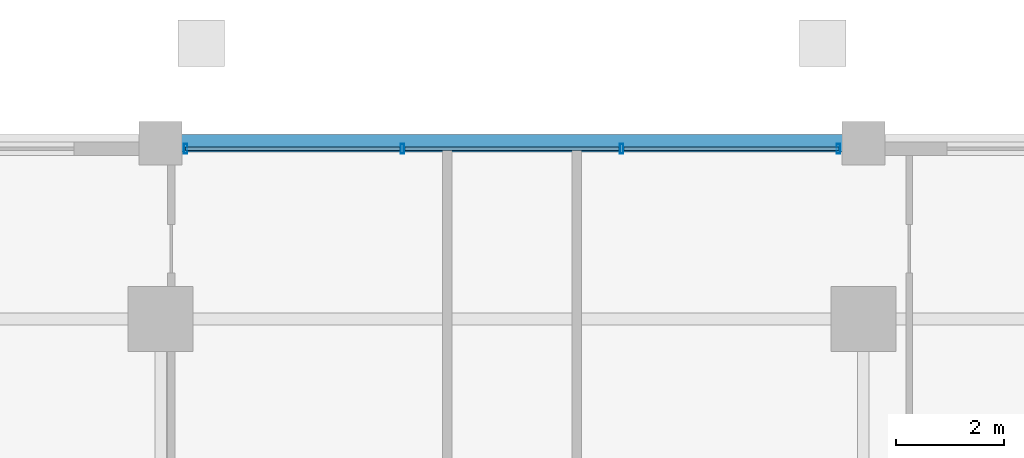
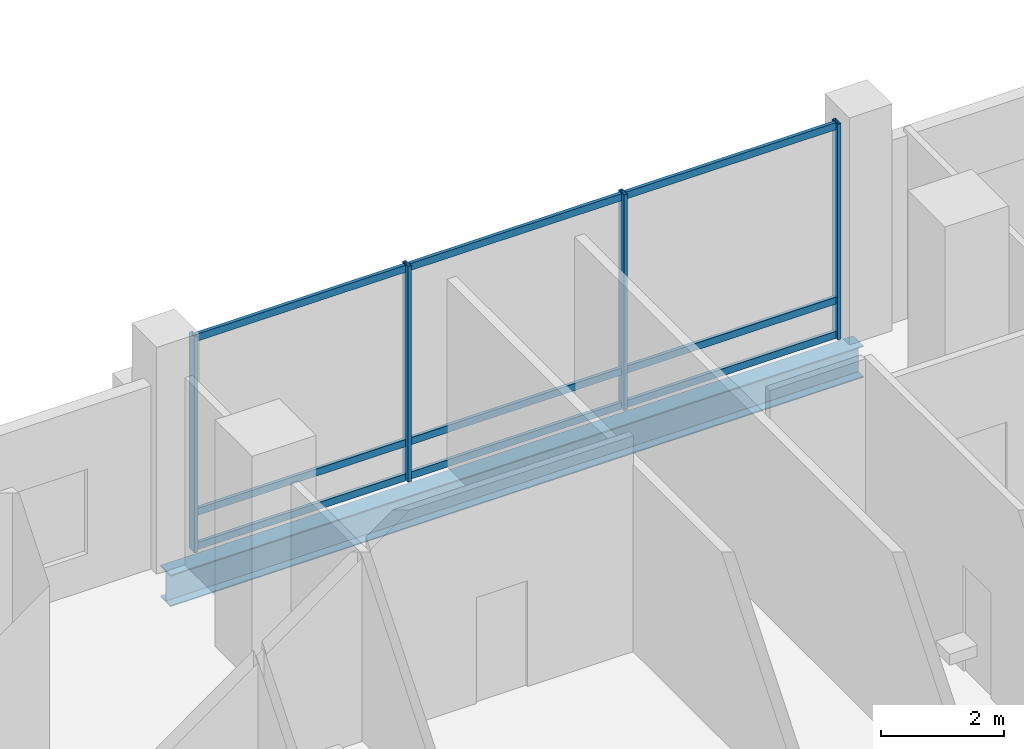
# One storey, part 10 of 19: 13 members, 1 beam, 1 element without a shape of its own.
"""IFC4 building model written with IfcOpenShell, lengths in metres."""

from ifc_helpers import new_model, si_unit, direction, frame, origin, origin_2d, place, context, subcontext, project, spatial, hollow_rectangle, i_section, extrude, material, layer, layer_set, material_profile, profile_set, type_object, element, aggregate, save


model = new_model("IFC4")

# Units and contexts
model_context = context("Model", 3, precision=1e-05, world=origin(), true_north=direction((0.0, 1.0)))
body_context = subcontext(model_context, "Body", "Model", "MODEL_VIEW")
ifc_project = project(units=[si_unit("LENGTHUNIT", "METRE"), si_unit("AREAUNIT", "SQUARE_METRE"), si_unit("VOLUMEUNIT", "CUBIC_METRE"), si_unit("PLANEANGLEUNIT", "RADIAN"), si_unit("MASSUNIT", "GRAM", prefix="KILO")], contexts=[model_context])

# Site, building, storey
site_placement = place(None, origin())
site = spatial("IfcSite", under=ifc_project, at=site_placement, CompositionType="ELEMENT")
building_placement = place(site_placement, origin())
building = spatial("IfcBuilding", under=site, at=building_placement, Name="Barlavira Tower and Art Museum", CompositionType="ELEMENT")
storey_placement = place(building_placement, frame((0.0, 0.0, 125.10009765625)))
storey = spatial("IfcBuildingStorey", under=building, at=storey_placement, Name="L31", CompositionType="ELEMENT", Elevation=125.10009765625)

# Curtain wall, members
ifc_material_1 = material(Name="Low-iron coastal laminated glass", Category="glass")
ifc_layer = layer(ifc_material_1, 0.18994140625, Name="Low-iron coastal laminated glass")
ifc_layer_set = layer_set([ifc_layer], Name="Low-iron coastal laminated glass")
curtain_wall_type = type_object("IfcCurtainWallType", Name="Pale-Metal Unitised Curtain Wall Zone 2", PredefinedType="NOTDEFINED", material=ifc_layer_set)
curtain_wall_placement = place(storey_placement, origin())
curtain_wall = element("IfcCurtainWall", 1, at=curtain_wall_placement, inside=storey, type_object=curtain_wall_type, Name="L31 Curtain Wall CW2-L31-N-B3", PredefinedType="NOTDEFINED")
ifc_material_2 = material(Name="Pale anodised aluminium", Category="aluminium")
ifc_material_profile_1 = material_profile(ifc_material_2, hollow_rectangle(XDim=0.06494140625, YDim=0.179931640625, WallThickness=0.00390625, at=origin_2d()), Name="ALU-MULL 65x180x4")
ifc_profile_set_1 = profile_set([ifc_material_profile_1], Name="Pale anodised aluminium")
member_type_1 = type_object("IfcMemberType", Name="Curtain Wall Pale-Metal Mullion 65x180", PredefinedType="MULLION", material=ifc_profile_set_1)
member_1_placement = place(storey_placement, frame((6.034912109375, 23.14990234375, 0.0), z_axis=(0.0, 0.0, 1.0), x_axis=(-1.0, 0.0, 0.0)))
member_1 = element("IfcMember", 2, at=member_1_placement, type_object=member_type_1, Name="CW2-L31-N-B3 Mullion 0", PredefinedType="MULLION", context=body_context, shape_type="SweptSolid", body=[
    extrude(hollow_rectangle(XDim=0.06494140625, YDim=0.179931640625, WallThickness=0.00390625, at=origin_2d()), origin(), (0.0, 0.0, 1.0), 4.27978515625),
])
member_2_placement = place(storey_placement, frame((2.026611328125, 23.14990234375, 0.0), z_axis=(0.0, 0.0, 1.0), x_axis=(-1.0, 0.0, 0.0)))
member_2 = element("IfcMember", 3, at=member_2_placement, type_object=member_type_1, Name="CW2-L31-N-B3 Mullion 1", PredefinedType="MULLION", context=body_context, shape_type="SweptSolid", body=[
    extrude(hollow_rectangle(XDim=0.06494140625, YDim=0.179931640625, WallThickness=0.00390625, at=origin_2d()), origin(), (0.0, 0.0, 1.0), 4.27978515625),
])
member_3_placement = place(storey_placement, frame((-2.026611328125, 23.14990234375, 0.0), z_axis=(0.0, 0.0, 1.0), x_axis=(-1.0, 0.0, 0.0)))
member_3 = element("IfcMember", 4, at=member_3_placement, type_object=member_type_1, Name="CW2-L31-N-B3 Mullion 2", PredefinedType="MULLION", context=body_context, shape_type="SweptSolid", body=[
    extrude(hollow_rectangle(XDim=0.06494140625, YDim=0.179931640625, WallThickness=0.00390625, at=origin_2d()), origin(), (0.0, 0.0, 1.0), 4.27978515625),
])
member_4_placement = place(storey_placement, frame((-6.034912109375, 23.14990234375, 0.0), z_axis=(0.0, 0.0, 1.0), x_axis=(-1.0, 0.0, 0.0)))
member_4 = element("IfcMember", 5, at=member_4_placement, type_object=member_type_1, Name="CW2-L31-N-B3 Mullion 3", PredefinedType="MULLION", context=body_context, shape_type="SweptSolid", body=[
    extrude(hollow_rectangle(XDim=0.06494140625, YDim=0.179931640625, WallThickness=0.00390625, at=origin_2d()), origin(), (0.0, 0.0, 1.0), 4.27978515625),
])
ifc_material_profile_2 = material_profile(ifc_material_2, hollow_rectangle(XDim=0.06494140625, YDim=0.139892578125, WallThickness=0.00390625, at=origin_2d()), Name="ALU-TRAN 65x140x4")
ifc_profile_set_2 = profile_set([ifc_material_profile_2], Name="Pale anodised aluminium")
member_type_2 = type_object("IfcMemberType", Name="Curtain Wall Pale-Metal Transom 65x140", PredefinedType="USERDEFINED", material=ifc_profile_set_2)
member_5_placement = place(storey_placement, frame((6.034912109375, 23.14990234375, 0.06982421875), z_axis=(-1.0, 0.0, 0.0), x_axis=(0.0, -1.0, 0.0)))
member_5 = element("IfcMember", 6, at=member_5_placement, type_object=member_type_2, Name="CW2-L31-N-B3 Transom 0.1", ObjectType="TRANSOM", PredefinedType="USERDEFINED", context=body_context, shape_type="SweptSolid", body=[
    extrude(hollow_rectangle(XDim=0.06494140625, YDim=0.139892578125, WallThickness=0.00390625, at=origin_2d()), origin(), (0.0, 0.0, 1.0), 3.963134765625),
])
member_6_placement = place(storey_placement, frame((6.034912109375, 23.14990234375, 0.75), z_axis=(-1.0, 0.0, 0.0), x_axis=(0.0, -1.0, 0.0)))
member_6 = element("IfcMember", 7, at=member_6_placement, type_object=member_type_2, Name="CW2-L31-N-B3 Transom 0.2", ObjectType="TRANSOM", PredefinedType="USERDEFINED", context=body_context, shape_type="SweptSolid", body=[
    extrude(hollow_rectangle(XDim=0.06494140625, YDim=0.139892578125, WallThickness=0.00390625, at=origin_2d()), origin(), (0.0, 0.0, 1.0), 3.963134765625),
])
member_7_placement = place(storey_placement, frame((6.034912109375, 23.14990234375, 4.2099609375), z_axis=(-1.0, 0.0, 0.0), x_axis=(0.0, -1.0, 0.0)))
member_7 = element("IfcMember", 8, at=member_7_placement, type_object=member_type_2, Name="CW2-L31-N-B3 Transom 0.3", ObjectType="TRANSOM", PredefinedType="USERDEFINED", context=body_context, shape_type="SweptSolid", body=[
    extrude(hollow_rectangle(XDim=0.06494140625, YDim=0.139892578125, WallThickness=0.00390625, at=origin_2d()), origin(), (0.0, 0.0, 1.0), 3.963134765625),
])
member_8_placement = place(storey_placement, frame((1.981689453125, 23.14990234375, 0.06982421875), z_axis=(-1.0, 0.0, 0.0), x_axis=(0.0, -1.0, 0.0)))
member_8 = element("IfcMember", 9, at=member_8_placement, type_object=member_type_2, Name="CW2-L31-N-B3 Transom 1.1", ObjectType="TRANSOM", PredefinedType="USERDEFINED", context=body_context, shape_type="SweptSolid", body=[
    extrude(hollow_rectangle(XDim=0.06494140625, YDim=0.139892578125, WallThickness=0.00390625, at=origin_2d()), origin(), (0.0, 0.0, 1.0), 3.96337890625),
])
member_9_placement = place(storey_placement, frame((1.981689453125, 23.14990234375, 0.75), z_axis=(-1.0, 0.0, 0.0), x_axis=(0.0, -1.0, 0.0)))
member_9 = element("IfcMember", 10, at=member_9_placement, type_object=member_type_2, Name="CW2-L31-N-B3 Transom 1.2", ObjectType="TRANSOM", PredefinedType="USERDEFINED", context=body_context, shape_type="SweptSolid", body=[
    extrude(hollow_rectangle(XDim=0.06494140625, YDim=0.139892578125, WallThickness=0.00390625, at=origin_2d()), origin(), (0.0, 0.0, 1.0), 3.96337890625),
])
member_10_placement = place(storey_placement, frame((1.981689453125, 23.14990234375, 4.2099609375), z_axis=(-1.0, 0.0, 0.0), x_axis=(0.0, -1.0, 0.0)))
member_10 = element("IfcMember", 11, at=member_10_placement, type_object=member_type_2, Name="CW2-L31-N-B3 Transom 1.3", ObjectType="TRANSOM", PredefinedType="USERDEFINED", context=body_context, shape_type="SweptSolid", body=[
    extrude(hollow_rectangle(XDim=0.06494140625, YDim=0.139892578125, WallThickness=0.00390625, at=origin_2d()), origin(), (0.0, 0.0, 1.0), 3.96337890625),
])
member_11_placement = place(storey_placement, frame((-2.07177734375, 23.14990234375, 0.06982421875), z_axis=(-1.0, 0.0, 0.0), x_axis=(0.0, -1.0, 0.0)))
member_11 = element("IfcMember", 12, at=member_11_placement, type_object=member_type_2, Name="CW2-L31-N-B3 Transom 2.1", ObjectType="TRANSOM", PredefinedType="USERDEFINED", context=body_context, shape_type="SweptSolid", body=[
    extrude(hollow_rectangle(XDim=0.06494140625, YDim=0.139892578125, WallThickness=0.00390625, at=origin_2d()), origin(), (0.0, 0.0, 1.0), 3.963134765625),
])
member_12_placement = place(storey_placement, frame((-2.07177734375, 23.14990234375, 0.75), z_axis=(-1.0, 0.0, 0.0), x_axis=(0.0, -1.0, 0.0)))
member_12 = element("IfcMember", 13, at=member_12_placement, type_object=member_type_2, Name="CW2-L31-N-B3 Transom 2.2", ObjectType="TRANSOM", PredefinedType="USERDEFINED", context=body_context, shape_type="SweptSolid", body=[
    extrude(hollow_rectangle(XDim=0.06494140625, YDim=0.139892578125, WallThickness=0.00390625, at=origin_2d()), origin(), (0.0, 0.0, 1.0), 3.963134765625),
])
member_13_placement = place(storey_placement, frame((-2.07177734375, 23.14990234375, 4.2099609375), z_axis=(-1.0, 0.0, 0.0), x_axis=(0.0, -1.0, 0.0)))
member_13 = element("IfcMember", 14, at=member_13_placement, type_object=member_type_2, Name="CW2-L31-N-B3 Transom 2.3", ObjectType="TRANSOM", PredefinedType="USERDEFINED", context=body_context, shape_type="SweptSolid", body=[
    extrude(hollow_rectangle(XDim=0.06494140625, YDim=0.139892578125, WallThickness=0.00390625, at=origin_2d()), origin(), (0.0, 0.0, 1.0), 3.963134765625),
])
aggregate(curtain_wall, [member_1, member_2, member_3, member_4, member_5, member_6, member_7, member_8, member_9, member_10, member_11, member_12, member_13])

# Beam
ifc_material_3 = material(Name="Steel S355", Category="steel")
ifc_material_profile_3 = material_profile(ifc_material_3, i_section(OverallWidth=0.327880859375, OverallDepth=0.62890625, WebThickness=0.013916015625, FlangeThickness=0.021484375, at=origin_2d()), Name="W610x174.0")
ifc_profile_set_3 = profile_set([ifc_material_profile_3], Name="Steel S355")
beam_type = type_object("IfcBeamType", Name="Perimeter Spandrel Edge Beam W610x174 Steel S355", PredefinedType="SPANDREL", material=ifc_profile_set_3)
beam_placement = place(storey_placement, frame((-6.5, 23.25, -0.614501953125), z_axis=(1.0, 0.0, 0.0), x_axis=(0.0, 1.0, 0.0)))
element("IfcBeam", 15, at=beam_placement, inside=storey, type_object=beam_type, Name="L31 Spandrel 10", PredefinedType="SPANDREL", context=body_context, shape_type="SweptSolid", body=[
    extrude(i_section(OverallWidth=0.327880859375, OverallDepth=0.62890625, WebThickness=0.013916015625, FlangeThickness=0.021484375, at=origin_2d()), origin(), (0.0, 0.0, 1.0), 13.0),
])

save(model, "model.ifc")
